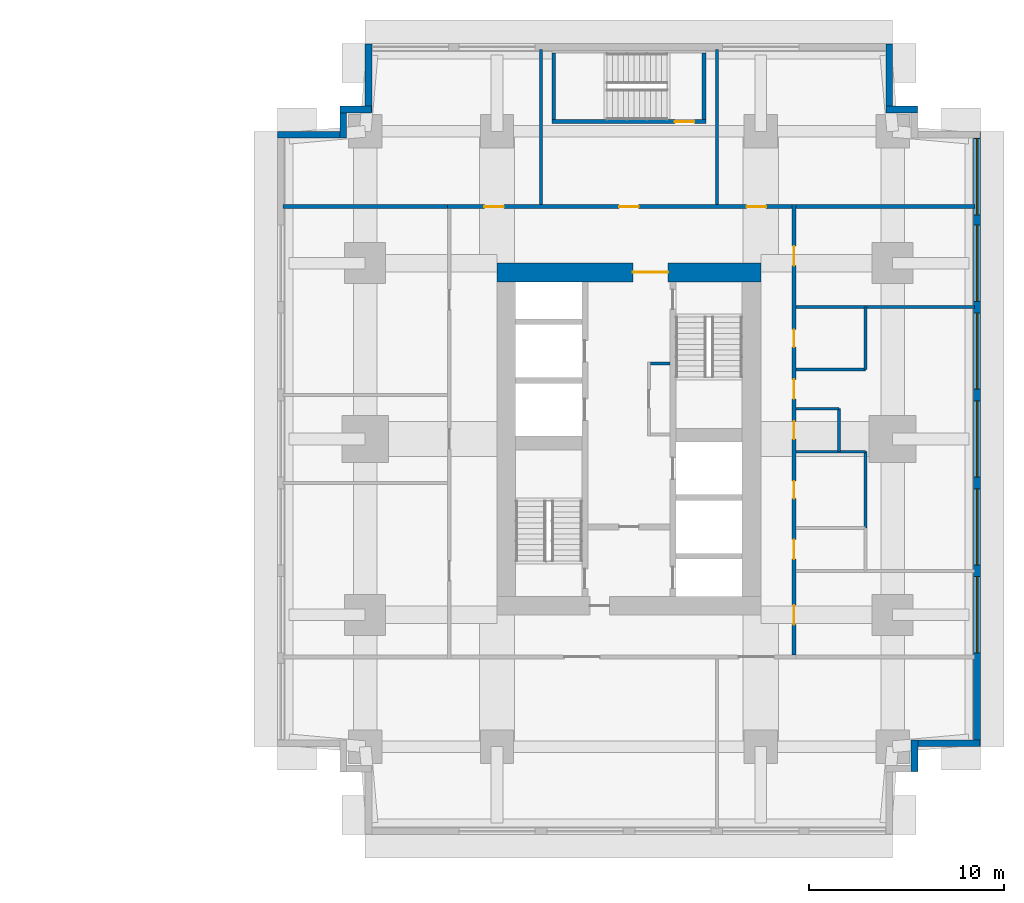
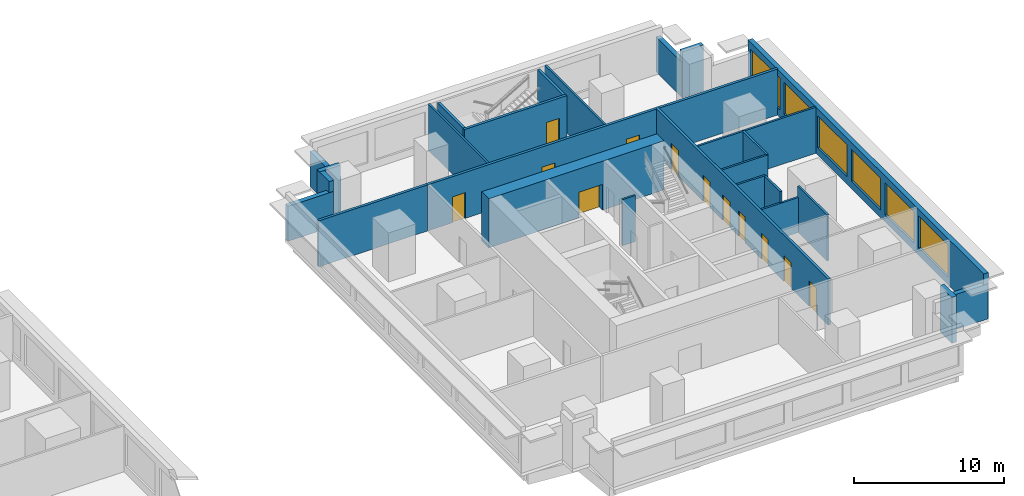
# One storey, part 7 of 11: 27 walls, 12 doors, 6 windows, 18 openings.
"""IFC4 building model written with IfcOpenShell, lengths in metres."""

from ifc_helpers import new_model, si_unit, direction, frame, frame_2d, origin, place, context, subcontext, project, spatial, rectangle, extrude, material, layer, layer_set, type_object, element, fill, save


model = new_model("IFC4")

# Units and contexts
model_context = context("Model", 3, precision=1e-05, world=origin(), true_north=direction((0.0, 1.0)))
body_context = subcontext(model_context, "Body", "Model", "MODEL_VIEW")
ifc_project = project(units=[si_unit("LENGTHUNIT", "METRE"), si_unit("AREAUNIT", "SQUARE_METRE"), si_unit("VOLUMEUNIT", "CUBIC_METRE"), si_unit("PLANEANGLEUNIT", "RADIAN"), si_unit("MASSUNIT", "GRAM", prefix="KILO")], contexts=[model_context])

# Site, building, storey
site_placement = place(None, origin())
site = spatial("IfcSite", under=ifc_project, at=site_placement, CompositionType="ELEMENT")
building_placement = place(site_placement, origin())
building = spatial("IfcBuilding", under=site, at=building_placement, Name="Namib Vertical Campus", CompositionType="ELEMENT")
storey_placement = place(building_placement, frame((0.0, 0.0, 53.0)))
storey = spatial("IfcBuildingStorey", under=building, at=storey_placement, Name="L12", CompositionType="ELEMENT", Elevation=53.0)

# Wall, opening, door
ifc_material_1 = material(Name="Concrete C60/75", Category="concrete")
ifc_layer_1 = layer(ifc_material_1, 0.949951171875)
ifc_layer_set_1 = layer_set([ifc_layer_1], Name="Concrete C60/75")
wall_type_1 = type_object("IfcWallType", Name="Core wall 950", PredefinedType="SHEAR", material=ifc_layer_set_1)
wall_1_placement = place(storey_placement, frame((87.75, 28.77490234375, 0.0), z_axis=(0.0, 0.0, 1.0), x_axis=(-1.0, 0.0, 0.0)))
wall_1 = element("IfcWall", 1, at=wall_1_placement, inside=storey, type_object=wall_type_1, Name="Core wall B L12 3", PredefinedType="SHEAR", context=body_context, shape_type="SweptSolid", body=[
    extrude(rectangle(XDim=13.5, YDim=0.949951171875, at=frame_2d((6.75, 0.0))), origin(), (0.0, 0.0, 1.0), 4.0),
])
opening_1_placement = place(wall_1_placement, frame((4.75, 0.0, 0.0)))
opening_1 = element("IfcOpeningElement", 2, at=opening_1_placement, cuts=wall_1, Name="Opening FD2", PredefinedType="OPENING", context=body_context, shape_type="SweptSolid", body=[
    extrude(rectangle(XDim=1.800048828125, YDim=2.10009765625, at=frame_2d((0.89990234375, 1.050048828125))), frame((0.0, 0.48486328125, 0.0), z_axis=(0.0, -1.0, 0.0), x_axis=(1.0, 0.0, 0.0)), (0.0, 0.0, 1.0), 0.969970703125),
])
ifc_material_2 = material(Name="Steel fire door", Category="steel")
door_type_1 = type_object("IfcDoorType", Name="Fire door double 1800x2100", OperationType="DOUBLE_DOOR_SINGLE_SWING", PredefinedType="DOOR", material=ifc_material_2)
door_1_placement = place(opening_1_placement, origin())
door_1 = element("IfcDoor", 3, at=door_1_placement, inside=storey, type_object=door_type_1, Name="Lift lobby door FD2 B L12", OperationType="DOUBLE_DOOR_SINGLE_SWING", OverallHeight=2.10009765625, OverallWidth=1.800048828125, PredefinedType="DOOR", context=body_context, shape_type="SweptSolid", body=[
    extrude(rectangle(XDim=1.800048828125, YDim=2.10009765625, at=frame_2d((0.89990234375, 1.050048828125))), frame((0.0, 0.02490234375, 0.0), z_axis=(0.0, -1.0, 0.0), x_axis=(1.0, 0.0, 0.0)), (0.0, 0.0, 1.0), 0.050048828125),
])
fill(opening_1, door_1)

# Wall, openings, doors
ifc_material_3 = material(Name="Concrete masonry", Category="masonry")
ifc_layer_2 = layer(ifc_material_3, 0.199951171875)
ifc_layer_set_2 = layer_set([ifc_layer_2], Name="Corridor wall 200")
wall_type_2 = type_object("IfcWallType", Name="Corridor wall 200", PredefinedType="SOLIDWALL", material=ifc_layer_set_2)
wall_2_placement = place(storey_placement, frame((89.449951171875, 9.199951171875, 0.0), z_axis=(0.0, 0.0, 1.0), x_axis=(0.0, 1.0, 0.0)))
wall_2 = element("IfcWall", 4, at=wall_2_placement, inside=storey, type_object=wall_type_2, Name="Corridor wall B L12 CE", PredefinedType="SOLIDWALL", context=body_context, shape_type="SweptSolid", body=[
    extrude(rectangle(XDim=23.050048828125, YDim=0.199951171875, at=frame_2d((11.52490234375, 0.0))), origin(), (0.0, 0.0, 1.0), 3.75),
])
opening_2_placement = place(wall_2_placement, frame((1.550048828125, 0.0, 0.0)))
opening_2 = element("IfcOpeningElement", 5, at=opening_2_placement, cuts=wall_2, Name="Opening CD1", PredefinedType="OPENING", context=body_context, shape_type="SweptSolid", body=[
    extrude(rectangle(XDim=1.0, YDim=2.10009765625, at=frame_2d((0.5, 1.050048828125))), frame((0.0, 0.10986328125, 0.0), z_axis=(0.0, -1.0, 0.0), x_axis=(1.0, 0.0, 0.0)), (0.0, 0.0, 1.0), 0.219970703125),
])
opening_3_placement = place(wall_2_placement, frame((4.89990234375, 0.0, 0.0)))
opening_3 = element("IfcOpeningElement", 6, at=opening_3_placement, cuts=wall_2, Name="Opening CD1", PredefinedType="OPENING", context=body_context, shape_type="SweptSolid", body=[
    extrude(rectangle(XDim=1.0, YDim=2.10009765625, at=frame_2d((0.5, 1.050048828125))), frame((0.0, 0.10986328125, 0.0), z_axis=(0.0, -1.0, 0.0), x_axis=(1.0, 0.0, 0.0)), (0.0, 0.0, 1.0), 0.219970703125),
])
opening_4_placement = place(wall_2_placement, frame((8.0, 0.0, 0.0)))
opening_4 = element("IfcOpeningElement", 7, at=opening_4_placement, cuts=wall_2, Name="Opening CD3", PredefinedType="OPENING", context=body_context, shape_type="SweptSolid", body=[
    extrude(rectangle(XDim=0.89990234375, YDim=2.10009765625, at=frame_2d((0.449951171875, 1.050048828125))), frame((0.0, 0.10986328125, 0.0), z_axis=(0.0, -1.0, 0.0), x_axis=(1.0, 0.0, 0.0)), (0.0, 0.0, 1.0), 0.219970703125),
])
opening_5_placement = place(wall_2_placement, frame((11.050048828125, 0.0, 0.0)))
opening_5 = element("IfcOpeningElement", 8, at=opening_5_placement, cuts=wall_2, Name="Opening CD3", PredefinedType="OPENING", context=body_context, shape_type="SweptSolid", body=[
    extrude(rectangle(XDim=0.89990234375, YDim=2.10009765625, at=frame_2d((0.449951171875, 1.050048828125))), frame((0.0, 0.10986328125, 0.0), z_axis=(0.0, -1.0, 0.0), x_axis=(1.0, 0.0, 0.0)), (0.0, 0.0, 1.0), 0.219970703125),
])
opening_6_placement = place(wall_2_placement, frame((15.75, 0.0, 0.0)))
opening_6 = element("IfcOpeningElement", 9, at=opening_6_placement, cuts=wall_2, Name="Opening CD3", PredefinedType="OPENING", context=body_context, shape_type="SweptSolid", body=[
    extrude(rectangle(XDim=0.89990234375, YDim=2.10009765625, at=frame_2d((0.449951171875, 1.050048828125))), frame((0.0, 0.10986328125, 0.0), z_axis=(0.0, -1.0, 0.0), x_axis=(1.0, 0.0, 0.0)), (0.0, 0.0, 1.0), 0.219970703125),
])
opening_7_placement = place(wall_2_placement, frame((13.10009765625, 0.0, 0.0)))
opening_7 = element("IfcOpeningElement", 10, at=opening_7_placement, cuts=wall_2, Name="Opening CD1", PredefinedType="OPENING", context=body_context, shape_type="SweptSolid", body=[
    extrude(rectangle(XDim=1.0, YDim=2.10009765625, at=frame_2d((0.5, 1.050048828125))), frame((0.0, 0.10986328125, 0.0), z_axis=(0.0, -1.0, 0.0), x_axis=(1.0, 0.0, 0.0)), (0.0, 0.0, 1.0), 0.219970703125),
])
opening_8_placement = place(wall_2_placement, frame((19.925048828125, 0.0, 0.0)))
opening_8 = element("IfcOpeningElement", 11, at=opening_8_placement, cuts=wall_2, Name="Opening CD1", PredefinedType="OPENING", context=body_context, shape_type="SweptSolid", body=[
    extrude(rectangle(XDim=1.0, YDim=2.10009765625, at=frame_2d((0.5, 1.050048828125))), frame((0.0, 0.10986328125, 0.0), z_axis=(0.0, -1.0, 0.0), x_axis=(1.0, 0.0, 0.0)), (0.0, 0.0, 1.0), 0.219970703125),
])
ifc_material_4 = material(Name="Timber fire door leaf", Category="wood")
door_type_2 = type_object("IfcDoorType", Name="Corridor door 1000x2100 20 min", OperationType="SINGLE_SWING_LEFT", PredefinedType="DOOR", material=ifc_material_4)
door_2_placement = place(opening_2_placement, frame((1.0, 0.0, 0.0), z_axis=(0.0, 0.0, 1.0), x_axis=(-1.0, 0.0, 0.0)))
door_2 = element("IfcDoor", 12, at=door_2_placement, inside=storey, type_object=door_type_2, Name="Door CD1 B12-03", OperationType="SINGLE_SWING_RIGHT", OverallHeight=2.10009765625, OverallWidth=1.0, PredefinedType="DOOR", context=body_context, shape_type="SweptSolid", body=[
    extrude(rectangle(XDim=1.0, YDim=2.10009765625, at=frame_2d((0.5, 1.050048828125))), frame((0.0, 0.02490234375, 0.0), z_axis=(0.0, -1.0, 0.0), x_axis=(1.0, 0.0, 0.0)), (0.0, 0.0, 1.0), 0.050048828125),
])
fill(opening_2, door_2)
door_3_placement = place(opening_3_placement, frame((1.0, 0.0, 0.0), z_axis=(0.0, 0.0, 1.0), x_axis=(-1.0, 0.0, 0.0)))
door_3 = element("IfcDoor", 13, at=door_3_placement, inside=storey, type_object=door_type_2, Name="Door CD1 B12-04", OperationType="SINGLE_SWING_RIGHT", OverallHeight=2.10009765625, OverallWidth=1.0, PredefinedType="DOOR", context=body_context, shape_type="SweptSolid", body=[
    extrude(rectangle(XDim=1.0, YDim=2.10009765625, at=frame_2d((0.5, 1.050048828125))), frame((0.0, 0.02490234375, 0.0), z_axis=(0.0, -1.0, 0.0), x_axis=(1.0, 0.0, 0.0)), (0.0, 0.0, 1.0), 0.050048828125),
])
fill(opening_3, door_3)
door_4_placement = place(opening_7_placement, frame((1.0, 0.0, 0.0), z_axis=(0.0, 0.0, 1.0), x_axis=(-1.0, 0.0, 0.0)))
door_4 = element("IfcDoor", 14, at=door_4_placement, inside=storey, type_object=door_type_2, Name="Door CD1 B12-08", OperationType="SINGLE_SWING_RIGHT", OverallHeight=2.10009765625, OverallWidth=1.0, PredefinedType="DOOR", context=body_context, shape_type="SweptSolid", body=[
    extrude(rectangle(XDim=1.0, YDim=2.10009765625, at=frame_2d((0.5, 1.050048828125))), frame((0.0, 0.02490234375, 0.0), z_axis=(0.0, -1.0, 0.0), x_axis=(1.0, 0.0, 0.0)), (0.0, 0.0, 1.0), 0.050048828125),
])
fill(opening_7, door_4)
door_5_placement = place(opening_8_placement, frame((1.0, 0.0, 0.0), z_axis=(0.0, 0.0, 1.0), x_axis=(-1.0, 0.0, 0.0)))
door_5 = element("IfcDoor", 15, at=door_5_placement, inside=storey, type_object=door_type_2, Name="Door CD1 B12-09", OperationType="SINGLE_SWING_RIGHT", OverallHeight=2.10009765625, OverallWidth=1.0, PredefinedType="DOOR", context=body_context, shape_type="SweptSolid", body=[
    extrude(rectangle(XDim=1.0, YDim=2.10009765625, at=frame_2d((0.5, 1.050048828125))), frame((0.0, 0.02490234375, 0.0), z_axis=(0.0, -1.0, 0.0), x_axis=(1.0, 0.0, 0.0)), (0.0, 0.0, 1.0), 0.050048828125),
])
fill(opening_8, door_5)
ifc_material_5 = material(Name="Timber fire door leaf", Category="wood")
door_type_3 = type_object("IfcDoorType", Name="Corridor toilet door 900x2100 20 min", OperationType="SINGLE_SWING_LEFT", PredefinedType="DOOR", material=ifc_material_5)
door_6_placement = place(opening_4_placement, frame((0.89990234375, 0.0, 0.0), z_axis=(0.0, 0.0, 1.0), x_axis=(-1.0, 0.0, 0.0)))
door_6 = element("IfcDoor", 16, at=door_6_placement, inside=storey, type_object=door_type_3, Name="Door CD3 B12-05", OperationType="SINGLE_SWING_RIGHT", OverallHeight=2.10009765625, OverallWidth=0.89990234375, PredefinedType="DOOR", context=body_context, shape_type="SweptSolid", body=[
    extrude(rectangle(XDim=0.89990234375, YDim=2.10009765625, at=frame_2d((0.449951171875, 1.050048828125))), frame((0.0, 0.02490234375, 0.0), z_axis=(0.0, -1.0, 0.0), x_axis=(1.0, 0.0, 0.0)), (0.0, 0.0, 1.0), 0.050048828125),
])
fill(opening_4, door_6)
door_7_placement = place(opening_5_placement, frame((0.89990234375, 0.0, 0.0), z_axis=(0.0, 0.0, 1.0), x_axis=(-1.0, 0.0, 0.0)))
door_7 = element("IfcDoor", 17, at=door_7_placement, inside=storey, type_object=door_type_3, Name="Door CD3 B12-06", OperationType="SINGLE_SWING_RIGHT", OverallHeight=2.10009765625, OverallWidth=0.89990234375, PredefinedType="DOOR", context=body_context, shape_type="SweptSolid", body=[
    extrude(rectangle(XDim=0.89990234375, YDim=2.10009765625, at=frame_2d((0.449951171875, 1.050048828125))), frame((0.0, 0.02490234375, 0.0), z_axis=(0.0, -1.0, 0.0), x_axis=(1.0, 0.0, 0.0)), (0.0, 0.0, 1.0), 0.050048828125),
])
fill(opening_5, door_7)
door_8_placement = place(opening_6_placement, frame((0.89990234375, 0.0, 0.0), z_axis=(0.0, 0.0, 1.0), x_axis=(-1.0, 0.0, 0.0)))
door_8 = element("IfcDoor", 18, at=door_8_placement, inside=storey, type_object=door_type_3, Name="Door CD3 B12-07", OperationType="SINGLE_SWING_RIGHT", OverallHeight=2.10009765625, OverallWidth=0.89990234375, PredefinedType="DOOR", context=body_context, shape_type="SweptSolid", body=[
    extrude(rectangle(XDim=0.89990234375, YDim=2.10009765625, at=frame_2d((0.449951171875, 1.050048828125))), frame((0.0, 0.02490234375, 0.0), z_axis=(0.0, -1.0, 0.0), x_axis=(1.0, 0.0, 0.0)), (0.0, 0.0, 1.0), 0.050048828125),
])
fill(opening_6, door_8)

wall_3_placement = place(storey_placement, frame((89.35009765625, 32.14990234375, 0.0), z_axis=(0.0, 0.0, 1.0), x_axis=(-1.0, 0.0, 0.0)))
wall_3 = element("IfcWall", 19, at=wall_3_placement, inside=storey, type_object=wall_type_2, Name="Corridor wall B L12 CN", PredefinedType="SOLIDWALL", context=body_context, shape_type="SweptSolid", body=[
    extrude(rectangle(XDim=17.650146484375, YDim=0.199951171875, at=frame_2d((8.8251953125, 0.0))), origin(), (0.0, 0.0, 1.0), 3.75),
])
opening_9_placement = place(wall_3_placement, frame((14.75, 0.0, 0.0)))
opening_9 = element("IfcOpeningElement", 20, at=opening_9_placement, cuts=wall_3, Name="Opening CD1", PredefinedType="OPENING", context=body_context, shape_type="SweptSolid", body=[
    extrude(rectangle(XDim=1.0, YDim=2.10009765625, at=frame_2d((0.5, 1.050048828125))), frame((0.0, 0.10986328125, 0.0), z_axis=(0.0, -1.0, 0.0), x_axis=(1.0, 0.0, 0.0)), (0.0, 0.0, 1.0), 0.219970703125),
])
opening_10_placement = place(wall_3_placement, frame((7.85009765625, 0.0, 0.0)))
opening_10 = element("IfcOpeningElement", 21, at=opening_10_placement, cuts=wall_3, Name="Opening CD1", PredefinedType="OPENING", context=body_context, shape_type="SweptSolid", body=[
    extrude(rectangle(XDim=1.0, YDim=2.10009765625, at=frame_2d((0.5, 1.050048828125))), frame((0.0, 0.10986328125, 0.0), z_axis=(0.0, -1.0, 0.0), x_axis=(1.0, 0.0, 0.0)), (0.0, 0.0, 1.0), 0.219970703125),
])
opening_11_placement = place(wall_3_placement, frame((1.324951171875, 0.0, 0.0)))
opening_11 = element("IfcOpeningElement", 22, at=opening_11_placement, cuts=wall_3, Name="Opening CD1", PredefinedType="OPENING", context=body_context, shape_type="SweptSolid", body=[
    extrude(rectangle(XDim=1.0, YDim=2.10009765625, at=frame_2d((0.5, 1.050048828125))), frame((0.0, 0.10986328125, 0.0), z_axis=(0.0, -1.0, 0.0), x_axis=(1.0, 0.0, 0.0)), (0.0, 0.0, 1.0), 0.219970703125),
])
door_9_placement = place(opening_9_placement, frame((1.0, 0.0, 0.0), z_axis=(0.0, 0.0, 1.0), x_axis=(-1.0, 0.0, 0.0)))
door_9 = element("IfcDoor", 23, at=door_9_placement, inside=storey, type_object=door_type_2, Name="Door CD1 B12-10", OperationType="SINGLE_SWING_RIGHT", OverallHeight=2.10009765625, OverallWidth=1.0, PredefinedType="DOOR", context=body_context, shape_type="SweptSolid", body=[
    extrude(rectangle(XDim=1.0, YDim=2.10009765625, at=frame_2d((0.5, 1.050048828125))), frame((0.0, 0.02490234375, 0.0), z_axis=(0.0, -1.0, 0.0), x_axis=(1.0, 0.0, 0.0)), (0.0, 0.0, 1.0), 0.050048828125),
])
fill(opening_9, door_9)
door_10_placement = place(opening_10_placement, frame((1.0, 0.0, 0.0), z_axis=(0.0, 0.0, 1.0), x_axis=(-1.0, 0.0, 0.0)))
door_10 = element("IfcDoor", 24, at=door_10_placement, inside=storey, type_object=door_type_2, Name="Door CD1 B12-11", OperationType="SINGLE_SWING_RIGHT", OverallHeight=2.10009765625, OverallWidth=1.0, PredefinedType="DOOR", context=body_context, shape_type="SweptSolid", body=[
    extrude(rectangle(XDim=1.0, YDim=2.10009765625, at=frame_2d((0.5, 1.050048828125))), frame((0.0, 0.02490234375, 0.0), z_axis=(0.0, -1.0, 0.0), x_axis=(1.0, 0.0, 0.0)), (0.0, 0.0, 1.0), 0.050048828125),
])
fill(opening_10, door_10)
door_11_placement = place(opening_11_placement, frame((1.0, 0.0, 0.0), z_axis=(0.0, 0.0, 1.0), x_axis=(-1.0, 0.0, 0.0)))
door_11 = element("IfcDoor", 25, at=door_11_placement, inside=storey, type_object=door_type_2, Name="Door CD1 B12-12", OperationType="SINGLE_SWING_LEFT", OverallHeight=2.10009765625, OverallWidth=1.0, PredefinedType="DOOR", context=body_context, shape_type="SweptSolid", body=[
    extrude(rectangle(XDim=1.0, YDim=2.10009765625, at=frame_2d((0.5, 1.050048828125))), frame((0.0, 0.02490234375, 0.0), z_axis=(0.0, -1.0, 0.0), x_axis=(1.0, 0.0, 0.0)), (0.0, 0.0, 1.0), 0.050048828125),
])
fill(opening_11, door_11)

# Walls
wall_4_placement = place(storey_placement, frame((63.300048828125, 32.14990234375, 0.0), z_axis=(0.0, 0.0, 1.0), x_axis=(1.0, 0.0, 0.0)))
element("IfcWall", 26, at=wall_4_placement, inside=storey, type_object=wall_type_2, Name="Partition B L12 BNW", PredefinedType="SOLIDWALL", context=body_context, shape_type="SweptSolid", body=[
    extrude(rectangle(XDim=8.39990234375, YDim=0.199951171875, at=frame_2d((4.199951171875, 0.0))), origin(), (0.0, 0.0, 1.0), 3.75),
])
wall_5_placement = place(storey_placement, frame((89.550048828125, 32.14990234375, 0.0), z_axis=(0.0, 0.0, 1.0), x_axis=(1.0, 0.0, 0.0)))
element("IfcWall", 27, at=wall_5_placement, inside=storey, type_object=wall_type_2, Name="Partition B L12 BNE", PredefinedType="SOLIDWALL", context=body_context, shape_type="SweptSolid", body=[
    extrude(rectangle(XDim=9.14990234375, YDim=0.199951171875, at=frame_2d((4.574951171875, 0.0))), origin(), (0.0, 0.0, 1.0), 3.75),
])
ifc_material_6 = material(Name="Concrete C40/50", Category="concrete")
ifc_layer_3 = layer(ifc_material_6, 0.35009765625)
ifc_layer_set_3 = layer_set([ifc_layer_3], Name="Concrete C40/50")
wall_type_3 = type_object("IfcWallType", Name="External wall 350 bush-hammered concrete", PredefinedType="STANDARD", material=ifc_layer_set_3)
wall_6_placement = place(storey_placement, frame((95.625, 3.219970703125, 0.0), z_axis=(0.0, 0.0, 1.0), x_axis=(0.0, 1.0, 0.0)))
element("IfcWall", 28, at=wall_6_placement, inside=storey, type_object=wall_type_3, Name="External wall L12 F04", PredefinedType="STANDARD", context=body_context, shape_type="SweptSolid", body=[
    extrude(rectangle(XDim=1.610107421875, YDim=0.35009765625, at=frame_2d((0.80517578125, 0.0))), origin(), (0.0, 0.0, 1.0), 3.75),
])
wall_7_placement = place(storey_placement, frame((95.469970703125, 4.675048828125, 0.0), z_axis=(0.0, 0.0, 1.0), x_axis=(1.0, 0.0, 0.0)))
element("IfcWall", 29, at=wall_7_placement, inside=storey, type_object=wall_type_3, Name="External wall L12 F05", PredefinedType="STANDARD", context=body_context, shape_type="SweptSolid", body=[
    extrude(rectangle(XDim=3.510009765625, YDim=0.35009765625, at=frame_2d((1.7548828125, 0.0))), origin(), (0.0, 0.0, 1.0), 2.85009765625),
])

# Wall, openings, windows
wall_8_placement = place(storey_placement, frame((98.824951171875, 4.52001953125, 0.0), z_axis=(0.0, 0.0, 1.0), x_axis=(0.0, 1.0, 0.0)))
wall_8 = element("IfcWall", 30, at=wall_8_placement, inside=storey, type_object=wall_type_3, Name="External wall L12 F06", PredefinedType="STANDARD", context=body_context, shape_type="SweptSolid", body=[
    extrude(rectangle(XDim=31.4599609375, YDim=0.35009765625, at=frame_2d((15.72998046875, 0.0))), origin(), (0.0, 0.0, 1.0), 3.75),
])
opening_12_placement = place(wall_8_placement, frame((4.780029296875, 0.0, 0.60009765625)))
opening_12 = element("IfcOpeningElement", 31, at=opening_12_placement, cuts=wall_8, Name="Opening W2", PredefinedType="OPENING", context=body_context, shape_type="SweptSolid", body=[
    extrude(rectangle(XDim=3.89990234375, YDim=2.60009765625, at=frame_2d((1.949951171875, 1.300048828125))), frame((0.0, 0.18505859375, 0.0), z_axis=(0.0, -1.0, 0.0), x_axis=(1.0, 0.0, 0.0)), (0.0, 0.0, 1.0), 0.3701171875),
])
opening_13_placement = place(wall_8_placement, frame((9.280029296875, 0.0, 0.60009765625)))
opening_13 = element("IfcOpeningElement", 32, at=opening_13_placement, cuts=wall_8, Name="Opening W2", PredefinedType="OPENING", context=body_context, shape_type="SweptSolid", body=[
    extrude(rectangle(XDim=3.89990234375, YDim=2.60009765625, at=frame_2d((1.949951171875, 1.300048828125))), frame((0.0, 0.18505859375, 0.0), z_axis=(0.0, -1.0, 0.0), x_axis=(1.0, 0.0, 0.0)), (0.0, 0.0, 1.0), 0.3701171875),
])
opening_14_placement = place(wall_8_placement, frame((13.780029296875, 0.0, 0.60009765625)))
opening_14 = element("IfcOpeningElement", 33, at=opening_14_placement, cuts=wall_8, Name="Opening W2", PredefinedType="OPENING", context=body_context, shape_type="SweptSolid", body=[
    extrude(rectangle(XDim=3.89990234375, YDim=2.60009765625, at=frame_2d((1.949951171875, 1.300048828125))), frame((0.0, 0.18505859375, 0.0), z_axis=(0.0, -1.0, 0.0), x_axis=(1.0, 0.0, 0.0)), (0.0, 0.0, 1.0), 0.3701171875),
])
opening_15_placement = place(wall_8_placement, frame((18.280029296875, 0.0, 0.60009765625)))
opening_15 = element("IfcOpeningElement", 34, at=opening_15_placement, cuts=wall_8, Name="Opening W2", PredefinedType="OPENING", context=body_context, shape_type="SweptSolid", body=[
    extrude(rectangle(XDim=3.89990234375, YDim=2.60009765625, at=frame_2d((1.949951171875, 1.300048828125))), frame((0.0, 0.18505859375, 0.0), z_axis=(0.0, -1.0, 0.0), x_axis=(1.0, 0.0, 0.0)), (0.0, 0.0, 1.0), 0.3701171875),
])
opening_16_placement = place(wall_8_placement, frame((22.780029296875, 0.0, 0.60009765625)))
opening_16 = element("IfcOpeningElement", 35, at=opening_16_placement, cuts=wall_8, Name="Opening W2", PredefinedType="OPENING", context=body_context, shape_type="SweptSolid", body=[
    extrude(rectangle(XDim=3.89990234375, YDim=2.60009765625, at=frame_2d((1.949951171875, 1.300048828125))), frame((0.0, 0.18505859375, 0.0), z_axis=(0.0, -1.0, 0.0), x_axis=(1.0, 0.0, 0.0)), (0.0, 0.0, 1.0), 0.3701171875),
])
opening_17_placement = place(wall_8_placement, frame((27.2099609375, 0.0, 0.60009765625)))
opening_17 = element("IfcOpeningElement", 36, at=opening_17_placement, cuts=wall_8, Name="Opening W2", PredefinedType="OPENING", context=body_context, shape_type="SweptSolid", body=[
    extrude(rectangle(XDim=3.89990234375, YDim=2.60009765625, at=frame_2d((1.949951171875, 1.300048828125))), frame((0.0, 0.18505859375, 0.0), z_axis=(0.0, -1.0, 0.0), x_axis=(1.0, 0.0, 0.0)), (0.0, 0.0, 1.0), 0.3701171875),
])
ifc_material_7 = material(Name="Dark tinted glass in black aluminium frame", Category="aluminium")
window_type = type_object("IfcWindowType", Name="Ribbon window 3900x2600", PartitioningType="SINGLE_PANEL", PredefinedType="WINDOW", material=ifc_material_7)
window_1_placement = place(opening_12_placement, origin())
window_1 = element("IfcWindow", 37, at=window_1_placement, inside=storey, type_object=window_type, Name="Window W2 L12 F06-2", OverallHeight=2.60009765625, OverallWidth=3.89990234375, PartitioningType="SINGLE_PANEL", PredefinedType="WINDOW", context=body_context, shape_type="SweptSolid", body=[
    extrude(rectangle(XDim=3.89990234375, YDim=2.60009765625, at=frame_2d((1.949951171875, 1.300048828125))), frame((0.0, 0.030029296875, 0.0), z_axis=(0.0, -1.0, 0.0), x_axis=(1.0, 0.0, 0.0)), (0.0, 0.0, 1.0), 0.06005859375),
])
fill(opening_12, window_1)
window_2_placement = place(opening_13_placement, origin())
window_2 = element("IfcWindow", 38, at=window_2_placement, inside=storey, type_object=window_type, Name="Window W2 L12 F06-3", OverallHeight=2.60009765625, OverallWidth=3.89990234375, PartitioningType="SINGLE_PANEL", PredefinedType="WINDOW", context=body_context, shape_type="SweptSolid", body=[
    extrude(rectangle(XDim=3.89990234375, YDim=2.60009765625, at=frame_2d((1.949951171875, 1.300048828125))), frame((0.0, 0.030029296875, 0.0), z_axis=(0.0, -1.0, 0.0), x_axis=(1.0, 0.0, 0.0)), (0.0, 0.0, 1.0), 0.06005859375),
])
fill(opening_13, window_2)
window_3_placement = place(opening_14_placement, origin())
window_3 = element("IfcWindow", 39, at=window_3_placement, inside=storey, type_object=window_type, Name="Window W2 L12 F06-4", OverallHeight=2.60009765625, OverallWidth=3.89990234375, PartitioningType="SINGLE_PANEL", PredefinedType="WINDOW", context=body_context, shape_type="SweptSolid", body=[
    extrude(rectangle(XDim=3.89990234375, YDim=2.60009765625, at=frame_2d((1.949951171875, 1.300048828125))), frame((0.0, 0.030029296875, 0.0), z_axis=(0.0, -1.0, 0.0), x_axis=(1.0, 0.0, 0.0)), (0.0, 0.0, 1.0), 0.06005859375),
])
fill(opening_14, window_3)
window_4_placement = place(opening_15_placement, origin())
window_4 = element("IfcWindow", 40, at=window_4_placement, inside=storey, type_object=window_type, Name="Window W2 L12 F06-5", OverallHeight=2.60009765625, OverallWidth=3.89990234375, PartitioningType="SINGLE_PANEL", PredefinedType="WINDOW", context=body_context, shape_type="SweptSolid", body=[
    extrude(rectangle(XDim=3.89990234375, YDim=2.60009765625, at=frame_2d((1.949951171875, 1.300048828125))), frame((0.0, 0.030029296875, 0.0), z_axis=(0.0, -1.0, 0.0), x_axis=(1.0, 0.0, 0.0)), (0.0, 0.0, 1.0), 0.06005859375),
])
fill(opening_15, window_4)
window_5_placement = place(opening_16_placement, origin())
window_5 = element("IfcWindow", 41, at=window_5_placement, inside=storey, type_object=window_type, Name="Window W2 L12 F06-6", OverallHeight=2.60009765625, OverallWidth=3.89990234375, PartitioningType="SINGLE_PANEL", PredefinedType="WINDOW", context=body_context, shape_type="SweptSolid", body=[
    extrude(rectangle(XDim=3.89990234375, YDim=2.60009765625, at=frame_2d((1.949951171875, 1.300048828125))), frame((0.0, 0.030029296875, 0.0), z_axis=(0.0, -1.0, 0.0), x_axis=(1.0, 0.0, 0.0)), (0.0, 0.0, 1.0), 0.06005859375),
])
fill(opening_16, window_5)
window_6_placement = place(opening_17_placement, origin())
window_6 = element("IfcWindow", 42, at=window_6_placement, inside=storey, type_object=window_type, Name="Window W2 L12 F06-7", OverallHeight=2.60009765625, OverallWidth=3.89990234375, PartitioningType="SINGLE_PANEL", PredefinedType="WINDOW", context=body_context, shape_type="SweptSolid", body=[
    extrude(rectangle(XDim=3.89990234375, YDim=2.60009765625, at=frame_2d((1.949951171875, 1.300048828125))), frame((0.0, 0.030029296875, 0.0), z_axis=(0.0, -1.0, 0.0), x_axis=(1.0, 0.0, 0.0)), (0.0, 0.0, 1.0), 0.06005859375),
])
fill(opening_17, window_6)

# Walls
wall_9_placement = place(storey_placement, frame((95.780029296875, 37.125, 0.0), z_axis=(0.0, 0.0, 1.0), x_axis=(-1.0, 0.0, 0.0)))
element("IfcWall", 43, at=wall_9_placement, inside=storey, type_object=wall_type_3, Name="External wall L12 F09", PredefinedType="STANDARD", context=body_context, shape_type="SweptSolid", body=[
    extrude(rectangle(XDim=1.610107421875, YDim=0.35009765625, at=frame_2d((0.80517578125, 0.0))), origin(), (0.0, 0.0, 1.0), 3.75),
])
for number, where, z_axis, x_axis, name in (
    (44, (94.324951171875, 36.969970703125, 0.0), (0.0, 0.0, 1.0), (0.0, 1.0, 0.0), "External wall L12 F10"),
    (45, (67.675048828125, 40.47998046875, 0.0), (0.0, 0.0, 1.0), (0.0, -1.0, 0.0), "External wall L12 F12"),
):
    element("IfcWall", number, at=place(storey_placement, frame(where, z_axis=z_axis, x_axis=x_axis)), inside=storey, type_object=wall_type_3, Name=name, PredefinedType="STANDARD", context=body_context, shape_type="SweptSolid", body=[
        extrude(rectangle(XDim=3.510009765625, YDim=0.35009765625, at=frame_2d((1.7548828125, 0.0))), origin(), (0.0, 0.0, 1.0), 2.85009765625),
    ])
for number, where, z_axis, x_axis, name in (
    (46, (67.830078125, 37.125, 0.0), (0.0, 0.0, 1.0), (-1.0, 0.0, 0.0), "External wall L12 F13"),
    (47, (66.375, 37.280029296875, 0.0), (0.0, 0.0, 1.0), (0.0, -1.0, 0.0), "External wall L12 F14"),
):
    element("IfcWall", number, at=place(storey_placement, frame(where, z_axis=z_axis, x_axis=x_axis)), inside=storey, type_object=wall_type_3, Name=name, PredefinedType="STANDARD", context=body_context, shape_type="SweptSolid", body=[
        extrude(rectangle(XDim=1.610107421875, YDim=0.35009765625, at=frame_2d((0.80517578125, 0.0))), origin(), (0.0, 0.0, 1.0), 3.75),
    ])
wall_10_placement = place(storey_placement, frame((66.530029296875, 35.824951171875, 0.0), z_axis=(0.0, 0.0, 1.0), x_axis=(-1.0, 0.0, 0.0)))
element("IfcWall", 48, at=wall_10_placement, inside=storey, type_object=wall_type_3, Name="External wall L12 F15", PredefinedType="STANDARD", context=body_context, shape_type="SweptSolid", body=[
    extrude(rectangle(XDim=3.510009765625, YDim=0.35009765625, at=frame_2d((1.7548828125, 0.0))), origin(), (0.0, 0.0, 1.0), 2.85009765625),
])
ifc_material_8 = material(Name="Gypsum board on steel studs", Category="steel")
ifc_layer_4 = layer(ifc_material_8, 0.14990234375)
ifc_layer_set_4 = layer_set([ifc_layer_4], Name="Gypsum board on steel studs")
wall_type_4 = type_object("IfcWallType", Name="Partition 150", PredefinedType="PARTITIONING", material=ifc_layer_set_4)
wall_11_placement = place(storey_placement, frame((82.10009765625, 24.125, 0.0), z_axis=(0.0, 0.0, 1.0), x_axis=(1.0, 0.0, 0.0)))
element("IfcWall", 49, at=wall_11_placement, inside=storey, type_object=wall_type_4, Name="Partition B L12 Linen store end 2", PredefinedType="PARTITIONING", context=body_context, shape_type="SweptSolid", body=[
    extrude(rectangle(XDim=1.0, YDim=0.14990234375, at=frame_2d((0.5, 0.0))), origin(), (0.0, 0.0, 1.0), 3.75),
])
for number, where, z_axis, x_axis, name in (
    (50, (76.5, 32.25, 0.0), (0.0, 0.0, 1.0), (0.0, 1.0, 0.0), "Partition B L12 PN1"),
    (51, (85.5, 32.25, 0.0), (0.0, 0.0, 1.0), (0.0, 1.0, 0.0), "Partition B L12 PN2"),
):
    element("IfcWall", number, at=place(storey_placement, frame(where, z_axis=z_axis, x_axis=x_axis)), inside=storey, type_object=wall_type_4, Name=name, PredefinedType="PARTITIONING", context=body_context, shape_type="SweptSolid", body=[
        extrude(rectangle(XDim=7.949951171875, YDim=0.14990234375, at=frame_2d((3.97509765625, 0.0))), origin(), (0.0, 0.0, 1.0), 3.75),
    ])
wall_12_placement = place(storey_placement, frame((89.550048828125, 27.0, 0.0), z_axis=(0.0, 0.0, 1.0), x_axis=(1.0, 0.0, 0.0)))
element("IfcWall", 52, at=wall_12_placement, inside=storey, type_object=wall_type_4, Name="Partition B L12 PE2", PredefinedType="PARTITIONING", context=body_context, shape_type="SweptSolid", body=[
    extrude(rectangle(XDim=9.14990234375, YDim=0.14990234375, at=frame_2d((4.574951171875, 0.0))), origin(), (0.0, 0.0, 1.0), 3.75),
])
wall_13_placement = place(storey_placement, frame((89.550048828125, 19.60009765625, 0.0), z_axis=(0.0, 0.0, 1.0), x_axis=(1.0, 0.0, 0.0)))
element("IfcWall", 53, at=wall_13_placement, inside=storey, type_object=wall_type_4, Name="Partition B L12 WR2", PredefinedType="PARTITIONING", context=body_context, shape_type="SweptSolid", body=[
    extrude(rectangle(XDim=3.550048828125, YDim=0.14990234375, at=frame_2d((1.77490234375, 0.0))), origin(), (0.0, 0.0, 1.0), 2.85009765625),
])
wall_14_placement = place(storey_placement, frame((89.550048828125, 21.800048828125, 0.0), z_axis=(0.0, 0.0, 1.0), x_axis=(1.0, 0.0, 0.0)))
element("IfcWall", 54, at=wall_14_placement, inside=storey, type_object=wall_type_4, Name="Partition B L12 WR3", PredefinedType="PARTITIONING", context=body_context, shape_type="SweptSolid", body=[
    extrude(rectangle(XDim=2.199951171875, YDim=0.14990234375, at=frame_2d((1.10009765625, 0.0))), origin(), (0.0, 0.0, 1.0), 3.75),
])
wall_15_placement = place(storey_placement, frame((89.550048828125, 23.800048828125, 0.0), z_axis=(0.0, 0.0, 1.0), x_axis=(1.0, 0.0, 0.0)))
element("IfcWall", 55, at=wall_15_placement, inside=storey, type_object=wall_type_4, Name="Partition B L12 WR4", PredefinedType="PARTITIONING", context=body_context, shape_type="SweptSolid", body=[
    extrude(rectangle(XDim=3.550048828125, YDim=0.14990234375, at=frame_2d((1.77490234375, 0.0))), origin(), (0.0, 0.0, 1.0), 3.75),
])
wall_16_placement = place(storey_placement, frame((93.10009765625, 15.699951171875, 0.0), z_axis=(0.0, 0.0, 1.0), x_axis=(0.0, 1.0, 0.0)))
element("IfcWall", 56, at=wall_16_placement, inside=storey, type_object=wall_type_4, Name="Partition B L12 WB2", PredefinedType="PARTITIONING", context=body_context, shape_type="SweptSolid", body=[
    extrude(rectangle(XDim=3.900146484375, YDim=0.14990234375, at=frame_2d((1.9501953125, 0.0))), origin(), (0.0, 0.0, 1.0), 3.75),
])
wall_17_placement = place(storey_placement, frame((91.75, 19.60009765625, 0.0), z_axis=(0.0, 0.0, 1.0), x_axis=(0.0, 1.0, 0.0)))
element("IfcWall", 57, at=wall_17_placement, inside=storey, type_object=wall_type_4, Name="Partition B L12 WB3", PredefinedType="PARTITIONING", context=body_context, shape_type="SweptSolid", body=[
    extrude(rectangle(XDim=2.199951171875, YDim=0.14990234375, at=frame_2d((1.10009765625, 0.0))), origin(), (0.0, 0.0, 1.0), 3.75),
])
wall_18_placement = place(storey_placement, frame((93.10009765625, 23.800048828125, 0.0), z_axis=(0.0, 0.0, 1.0), x_axis=(0.0, 1.0, 0.0)))
element("IfcWall", 58, at=wall_18_placement, inside=storey, type_object=wall_type_4, Name="Partition B L12 WB4", PredefinedType="PARTITIONING", context=body_context, shape_type="SweptSolid", body=[
    extrude(rectangle(XDim=3.199951171875, YDim=0.14990234375, at=frame_2d((1.60009765625, 0.0))), origin(), (0.0, 0.0, 1.0), 3.75),
])

# Wall, opening, door
ifc_material_9 = material(Name="Concrete C40/50", Category="concrete")
ifc_layer_5 = layer(ifc_material_9, 0.199951171875)
ifc_layer_set_5 = layer_set([ifc_layer_5], Name="Concrete C40/50")
wall_type_5 = type_object("IfcWallType", Name="Stair enclosure wall RC 200", PredefinedType="SOLIDWALL", material=ifc_layer_set_5)
wall_19_placement = place(storey_placement, frame((77.050048828125, 36.5, 0.0), z_axis=(0.0, 0.0, 1.0), x_axis=(1.0, 0.0, 0.0)))
wall_19 = element("IfcWall", 59, at=wall_19_placement, inside=storey, type_object=wall_type_5, Name="Stair enclosure wall B-S3 L12 S", PredefinedType="SOLIDWALL", context=body_context, shape_type="SweptSolid", body=[
    extrude(rectangle(XDim=7.89990234375, YDim=0.199951171875, at=frame_2d((3.949951171875, 0.0))), origin(), (0.0, 0.0, 1.0), 3.75),
])
opening_18_placement = place(wall_19_placement, frame((6.300048828125, 0.0, 0.0)))
opening_18 = element("IfcOpeningElement", 60, at=opening_18_placement, cuts=wall_19, Name="Opening FD1", PredefinedType="OPENING", context=body_context, shape_type="SweptSolid", body=[
    extrude(rectangle(XDim=1.0, YDim=2.10009765625, at=frame_2d((0.5, 1.050048828125))), frame((0.0, 0.10986328125, 0.0), z_axis=(0.0, -1.0, 0.0), x_axis=(1.0, 0.0, 0.0)), (0.0, 0.0, 1.0), 0.219970703125),
])
ifc_material_10 = material(Name="Steel fire door", Category="steel")
door_type_4 = type_object("IfcDoorType", Name="Fire door 1000x2100", OperationType="SINGLE_SWING_RIGHT", PredefinedType="DOOR", material=ifc_material_10)
door_12_placement = place(opening_18_placement, origin())
door_12 = element("IfcDoor", 61, at=door_12_placement, inside=storey, type_object=door_type_4, Name="Stair door FD1 B L12 S3", OperationType="SINGLE_SWING_RIGHT", OverallHeight=2.10009765625, OverallWidth=1.0, PredefinedType="DOOR", context=body_context, shape_type="SweptSolid", body=[
    extrude(rectangle(XDim=1.0, YDim=2.10009765625, at=frame_2d((0.5, 1.050048828125))), frame((0.0, 0.02490234375, 0.0), z_axis=(0.0, -1.0, 0.0), x_axis=(1.0, 0.0, 0.0)), (0.0, 0.0, 1.0), 0.050048828125),
])
fill(opening_18, door_12)

# Walls
for number, where, z_axis, x_axis, name in (
    (62, (77.14990234375, 36.60009765625, 0.0), (0.0, 0.0, 1.0), (0.0, 1.0, 0.0), "Stair enclosure wall B-S3 L12 W"),
    (63, (84.85009765625, 36.60009765625, 0.0), (0.0, 0.0, 1.0), (0.0, 1.0, 0.0), "Stair enclosure wall B-S3 L12 E"),
):
    element("IfcWall", number, at=place(storey_placement, frame(where, z_axis=z_axis, x_axis=x_axis)), inside=storey, type_object=wall_type_5, Name=name, PredefinedType="SOLIDWALL", context=body_context, shape_type="SweptSolid", body=[
        extrude(rectangle(XDim=3.39990234375, YDim=0.199951171875, at=frame_2d((1.699951171875, 0.0))), origin(), (0.0, 0.0, 1.0), 3.75),
    ])

save(model, "model.ifc")
